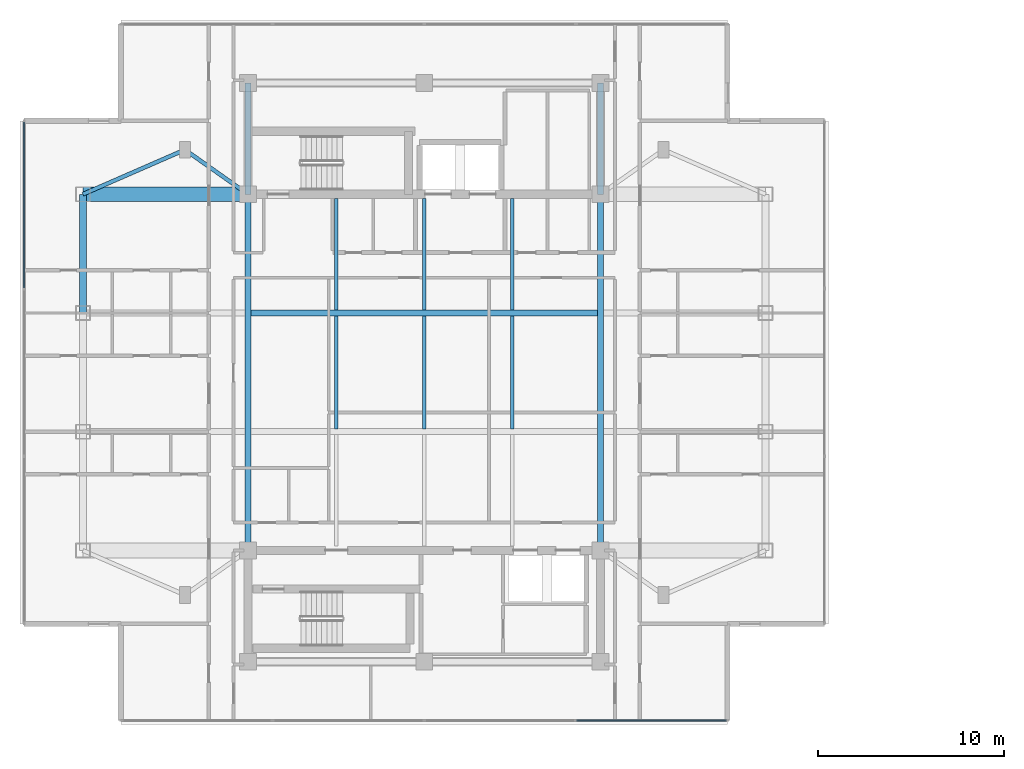
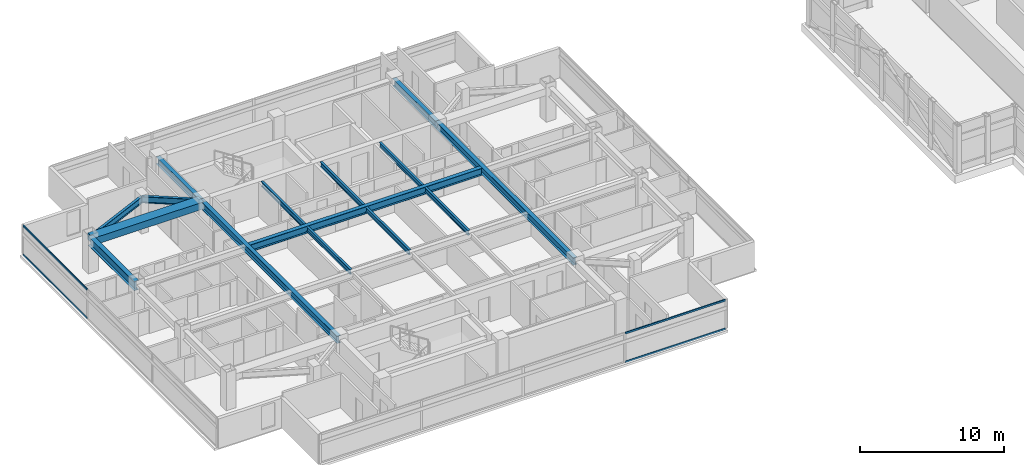
# One storey, part 3 of 17: 15 beams, 4 members, 2 elements without a shape of their own.
"""IFC4 building model written with IfcOpenShell, lengths in metres."""

import ifcopenshell
import ifcopenshell.guid

model = None  # the IFC model being written
_history = None  # IfcOwnerHistory: only IFC2X3 demands one
_inside = {}  # id of a spatial element -> (the spatial element, [elements in it])
_under = {}  # id of a project, library or spatial element -> (it, [spatial elements below it])
_declared = {}  # id of a project -> (the project, [libraries it declares])
_typed = {}  # id of a type object -> (the type object, [elements of that type])
_made_of = {}  # id of a material, layer set ... -> (it, [elements and type objects made of it])


def new_model(schema):
    """Start an empty IFC model of exactly this schema.

    Asked for "IFC4X3", IfcOpenShell would pick the latest addendum, in which some entities
    have other attributes; the version numbers below select the first issue.
    IFC2X3 requires an IfcOwnerHistory on every rooted entity: one is made here for all.
    """
    global model, _history
    if schema == "IFC4X3":
        model = ifcopenshell.file(schema_version=(4, 3, 0, 0))
    else:
        model = ifcopenshell.file(schema=schema)
    _inside.clear()
    _under.clear()
    _declared.clear()
    _typed.clear()
    _made_of.clear()
    _history = None
    if model.schema == "IFC2X3":
        org = make("IfcOrganization", Name="unknown")
        user = make(
            "IfcPersonAndOrganization",
            ThePerson=make("IfcPerson", FamilyName="unknown"),
            TheOrganization=org,
        )
        app = make(
            "IfcApplication",
            ApplicationDeveloper=org,
            Version="unknown",
            ApplicationFullName="unknown",
            ApplicationIdentifier="unknown",
        )
        _history = make(
            "IfcOwnerHistory",
            OwningUser=user,
            OwningApplication=app,
            ChangeAction="ADDED",
            CreationDate=0,
        )
    return model


def make(cls, **values):
    """One entity of the class cls with the attributes given. An attribute that is None is left unset."""
    return model.create_entity(
        cls, **{name: value for name, value in values.items() if value is not None}
    )


def rooted(cls, **values):
    """An entity with a GlobalId (a new one), such as an element, a storey or a relation."""
    return make(cls, GlobalId=ifcopenshell.guid.new(), OwnerHistory=_history, **values)


def si_unit(unit_type, name, prefix=None):
    """IfcSIUnit, for example si_unit("LENGTHUNIT", "METRE", prefix="MILLI")."""
    return make("IfcSIUnit", UnitType=unit_type, Prefix=prefix, Name=name)


def assignment(units):
    """IfcUnitAssignment: the units of a project."""
    return None if units is None else make("IfcUnitAssignment", Units=units)


def point(xyz):
    """IfcCartesianPoint."""
    return None if xyz is None else make("IfcCartesianPoint", Coordinates=xyz)


def direction(xyz):
    """IfcDirection."""
    return None if xyz is None else make("IfcDirection", DirectionRatios=xyz)


def frame(location, z_axis=None, x_axis=None):
    """IfcAxis2Placement3D, a coordinate frame: its origin and axes. An axis left out is left unset."""
    return make(
        "IfcAxis2Placement3D",
        Location=point(location),
        Axis=direction(z_axis),
        RefDirection=direction(x_axis),
    )


def frame_2d(location, x_axis=None):
    """IfcAxis2Placement2D, a coordinate frame in the plane: its origin and x axis."""
    return make(
        "IfcAxis2Placement2D", Location=point(location), RefDirection=direction(x_axis)
    )


def origin():
    """The frame at (0, 0, 0) with its axes left unset."""
    return frame((0.0, 0.0, 0.0))


def origin_2d():
    """The frame at (0, 0) in the plane with its x axis left unset."""
    return frame_2d((0.0, 0.0))


def place(relative_to, where):
    """IfcLocalPlacement: puts the frame where relative to a parent placement (None: the world)."""
    return make(
        "IfcLocalPlacement", PlacementRelTo=relative_to, RelativePlacement=where
    )


def context(
    kind, dimensions, precision=None, world=None, true_north=None, identifier=None
):
    """IfcGeometricRepresentationContext, for example the 3D "Model" context."""
    return make(
        "IfcGeometricRepresentationContext",
        ContextIdentifier=identifier,
        ContextType=kind,
        CoordinateSpaceDimension=dimensions,
        Precision=precision,
        WorldCoordinateSystem=world,
        TrueNorth=true_north,
    )


def subcontext(parent, identifier, kind, view, scale=None):
    """IfcGeometricRepresentationSubContext, for example "Body" below "Model"."""
    return make(
        "IfcGeometricRepresentationSubContext",
        ContextIdentifier=identifier,
        ContextType=kind,
        ParentContext=parent,
        TargetScale=scale,
        TargetView=view,
    )


def project(units=None, contexts=None):
    """IfcProject with its units and contexts."""
    return rooted(
        "IfcProject",
        Name="project",
        RepresentationContexts=contexts,
        UnitsInContext=assignment(units),
    )


def spatial(cls, under=None, at=None, **own):
    """A site, building, storey or space (cls), placed at a placement, below another one or the project."""
    s = rooted(cls, ObjectPlacement=at, **own)
    if under is not None:
        _under.setdefault(under.id(), (under, []))[1].append(s)
    return s


def profile(cls, at=None, kind="AREA", **sizes):
    """A parametric profile (cls). Its sizes go by their IFC names, for example OverallWidth=200.0."""
    return make(cls, ProfileType=kind, Position=at, **sizes)


def rectangle(**sizes):
    """IfcRectangleProfileDef."""
    return profile("IfcRectangleProfileDef", **sizes)


def i_section(**sizes):
    """IfcIShapeProfileDef."""
    return profile("IfcIShapeProfileDef", **sizes)


def extrude(swept, where, along, depth):
    """IfcExtrudedAreaSolid: the profile swept, set in the frame where, extruded along a direction by depth."""
    return make(
        "IfcExtrudedAreaSolid",
        SweptArea=swept,
        Position=where,
        ExtrudedDirection=direction(along),
        Depth=depth,
    )


def shape(context_of_items, identifier, shape_type, items):
    """IfcShapeRepresentation: the items that make up one representation, for example the "Body"."""
    return make(
        "IfcShapeRepresentation",
        ContextOfItems=context_of_items,
        RepresentationIdentifier=identifier,
        RepresentationType=shape_type,
        Items=items,
    )


def material(Name=None, Category=None):
    """IfcMaterial."""
    return make("IfcMaterial", Name=Name, Category=Category)


def material_profile(
    of_material, cross_section, Name=None, Category=None, Priority=None
):
    """IfcMaterialProfile: a cross section and its material."""
    return make(
        "IfcMaterialProfile",
        Name=Name,
        Material=of_material,
        Profile=cross_section,
        Priority=Priority,
        Category=Category,
    )


def profile_set(profiles, Name=None, composite=None):
    """IfcMaterialProfileSet."""
    return make(
        "IfcMaterialProfileSet",
        Name=Name,
        MaterialProfiles=profiles,
        CompositeProfile=composite,
    )


def made_of(thing, what):
    """Note that an element or type object is made of a material, layer set ...; save() writes the relation."""
    if what is not None:
        _made_of.setdefault(what.id(), (what, []))[1].append(thing)
    return thing


def type_object(cls, material=None, **own):
    """A type object (cls), such as IfcWallType, which elements share."""
    return made_of(rooted(cls, **own), material)


def element(
    cls,
    number,
    at=None,
    inside=None,
    cuts=None,
    type_object=None,
    material=None,
    context=None,
    identifier="Body",
    shape_type=None,
    held_by="IfcProductDefinitionShape",
    body=None,
    shapes=None,
    **own,
):
    """One element of the class cls, such as IfcWall. Its Tag is "e" and its number.

    at: its placement. inside: the storey or other place that contains it. cuts: it is an
    opening in that element (IfcRelVoidsElement). A single representation is given by context,
    identifier, shape_type and body (its items); several are given by shapes. held_by: the class
    of the entity that holds the representations. save() writes the other relations.
    """
    e = rooted(cls, Tag="e%d" % number, ObjectPlacement=at, **own)
    if body is not None:
        shapes = [shape(context, identifier, shape_type, body)]
    if shapes is not None:
        e.Representation = make(held_by, Representations=shapes)
    if inside is not None:
        _inside.setdefault(inside.id(), (inside, []))[1].append(e)
    if cuts is not None:
        rooted(
            "IfcRelVoidsElement", RelatingBuildingElement=cuts, RelatedOpeningElement=e
        )
    if type_object is not None:
        _typed.setdefault(type_object.id(), (type_object, []))[1].append(e)
    return made_of(e, material)


def aggregate(whole, parts):
    """IfcRelAggregates: a whole, such as a stair, and the parts it consists of."""
    return rooted("IfcRelAggregates", RelatingObject=whole, RelatedObjects=parts)


def save(model, path):
    """Write the relations noted so far, then the file.

    IfcRelAggregates (storeys below a building ...), IfcRelContainedInSpatialStructure (elements
    in a storey), IfcRelDefinesByType, IfcRelAssociatesMaterial and IfcRelDeclares: one each for
    every whole, place, type object, material and project.
    """
    for whole, parts in _under.values():
        aggregate(whole, parts)
    for where, things in _inside.values():
        rooted(
            "IfcRelContainedInSpatialStructure",
            RelatedElements=things,
            RelatingStructure=where,
        )
    for kind, things in _typed.values():
        rooted("IfcRelDefinesByType", RelatedObjects=things, RelatingType=kind)
    for what, things in _made_of.values():
        rooted("IfcRelAssociatesMaterial", RelatedObjects=things, RelatingMaterial=what)
    for by, libraries in _declared.values():
        rooted("IfcRelDeclares", RelatingContext=by, RelatedDefinitions=libraries)
    model.write(path)


model = new_model("IFC4")

# Units and contexts
model_context = context("Model", 3, precision=1e-05, world=origin(), true_north=direction((0.0, 1.0)))
body_context = subcontext(model_context, "Body", "Model", "MODEL_VIEW")
ifc_project = project(units=[si_unit("LENGTHUNIT", "METRE"), si_unit("AREAUNIT", "SQUARE_METRE"), si_unit("VOLUMEUNIT", "CUBIC_METRE"), si_unit("PLANEANGLEUNIT", "RADIAN"), si_unit("MASSUNIT", "GRAM", prefix="KILO")], contexts=[model_context])

# Site, building, storey
site_placement = place(None, origin())
site = spatial("IfcSite", under=ifc_project, at=site_placement, CompositionType="ELEMENT")
building_placement = place(site_placement, origin())
building = spatial("IfcBuilding", under=site, at=building_placement, Name="Mirazonda Arch Towers", CompositionType="ELEMENT")
storey_placement = place(building_placement, frame((0.0, 0.0, 209.64990234375)))
storey = spatial("IfcBuildingStorey", under=building, at=storey_placement, Name="L60", CompositionType="ELEMENT", Elevation=209.64990234375)

# Beams
ifc_material_1 = material(Name="Steel ASTM A992 Grade 50", Category="steel")
ifc_material_profile_1 = material_profile(ifc_material_1, i_section(OverallWidth=0.381103515625, OverallDepth=0.77294921875, WebThickness=0.0166015625, FlangeThickness=0.027099609375, at=origin_2d()), Name="W30X173")
ifc_profile_set_1 = profile_set([ifc_material_profile_1], Name="Steel ASTM A992 Grade 50")
beam_type_1 = type_object("IfcBeamType", Name="BM-EXT-W30X173", PredefinedType="USERDEFINED", material=ifc_profile_set_1)
beam_1_placement = place(storey_placement, frame((2.10009765625, 31.199951171875, 2.503662109375), z_axis=(0.0, 1.0, 0.0), x_axis=(-1.0, 0.0, 0.0)))
element("IfcBeam", 1, at=beam_1_placement, inside=storey, type_object=beam_type_1, Name="L60 Floor Beam BMT-T1-L60-NS-W-31", ObjectType="GIRDER", PredefinedType="USERDEFINED", context=body_context, shape_type="SweptSolid", body=[
    extrude(i_section(OverallWidth=0.381103515625, OverallDepth=0.77294921875, WebThickness=0.0166015625, FlangeThickness=0.027099609375, at=origin_2d()), origin(), (0.0, 0.0, 1.0), 6.400146484375),
])
ifc_material_profile_2 = material_profile(ifc_material_1, i_section(OverallWidth=0.180908203125, OverallDepth=0.4169921875, WebThickness=0.010986328125, FlangeThickness=0.018310546875, at=origin_2d()), Name="W16X57")
ifc_profile_set_2 = profile_set([ifc_material_profile_2], Name="Steel ASTM A992 Grade 50")
beam_type_2 = type_object("IfcBeamType", Name="BM-INT-W16X57", PredefinedType="JOIST", material=ifc_profile_set_2)
beam_2_placement = place(storey_placement, frame((15.75, 31.3583984375, 2.681640625), z_axis=(0.0, 1.0, 0.0), x_axis=(-1.0, 0.0, 0.0)))
element("IfcBeam", 2, at=beam_2_placement, inside=storey, type_object=beam_type_2, Name="L60 Floor Beam BMT-T1-L60-J-157-31", PredefinedType="JOIST", context=body_context, shape_type="SweptSolid", body=[
    extrude(i_section(OverallWidth=0.180908203125, OverallDepth=0.4169921875, WebThickness=0.010986328125, FlangeThickness=0.018310546875, at=origin_2d()), origin(), (0.0, 0.0, 1.0), 6.001708984375),
])
beam_3_placement = place(storey_placement, frame((15.75, 24.95849609375, 2.681640625), z_axis=(0.0, 1.0, 0.0), x_axis=(-1.0, 0.0, 0.0)))
element("IfcBeam", 3, at=beam_3_placement, inside=storey, type_object=beam_type_2, Name="L60 Floor Beam BMT-T1-L60-J-157-24", PredefinedType="JOIST", context=body_context, shape_type="SweptSolid", body=[
    extrude(i_section(OverallWidth=0.180908203125, OverallDepth=0.4169921875, WebThickness=0.010986328125, FlangeThickness=0.018310546875, at=origin_2d()), origin(), (0.0, 0.0, 1.0), 6.0830078125),
])
beam_4_placement = place(storey_placement, frame((20.5, 31.3583984375, 2.681640625), z_axis=(0.0, 1.0, 0.0), x_axis=(-1.0, 0.0, 0.0)))
element("IfcBeam", 4, at=beam_4_placement, inside=storey, type_object=beam_type_2, Name="L60 Floor Beam BMT-T1-L60-J-205-31", PredefinedType="JOIST", context=body_context, shape_type="SweptSolid", body=[
    extrude(i_section(OverallWidth=0.180908203125, OverallDepth=0.4169921875, WebThickness=0.010986328125, FlangeThickness=0.018310546875, at=origin_2d()), origin(), (0.0, 0.0, 1.0), 6.001708984375),
])
beam_5_placement = place(storey_placement, frame((20.5, 24.95849609375, 2.681640625), z_axis=(0.0, 1.0, 0.0), x_axis=(-1.0, 0.0, 0.0)))
element("IfcBeam", 5, at=beam_5_placement, inside=storey, type_object=beam_type_2, Name="L60 Floor Beam BMT-T1-L60-J-205-24", PredefinedType="JOIST", context=body_context, shape_type="SweptSolid", body=[
    extrude(i_section(OverallWidth=0.180908203125, OverallDepth=0.4169921875, WebThickness=0.010986328125, FlangeThickness=0.018310546875, at=origin_2d()), origin(), (0.0, 0.0, 1.0), 6.0830078125),
])
beam_6_placement = place(storey_placement, frame((25.25, 31.3583984375, 2.681640625), z_axis=(0.0, 1.0, 0.0), x_axis=(-1.0, 0.0, 0.0)))
element("IfcBeam", 6, at=beam_6_placement, inside=storey, type_object=beam_type_2, Name="L60 Floor Beam BMT-T1-L60-J-252-31", PredefinedType="JOIST", context=body_context, shape_type="SweptSolid", body=[
    extrude(i_section(OverallWidth=0.180908203125, OverallDepth=0.4169921875, WebThickness=0.010986328125, FlangeThickness=0.018310546875, at=origin_2d()), origin(), (0.0, 0.0, 1.0), 6.001708984375),
])
beam_7_placement = place(storey_placement, frame((25.25, 24.95849609375, 2.681640625), z_axis=(0.0, 1.0, 0.0), x_axis=(-1.0, 0.0, 0.0)))
element("IfcBeam", 7, at=beam_7_placement, inside=storey, type_object=beam_type_2, Name="L60 Floor Beam BMT-T1-L60-J-252-24", PredefinedType="JOIST", context=body_context, shape_type="SweptSolid", body=[
    extrude(i_section(OverallWidth=0.180908203125, OverallDepth=0.4169921875, WebThickness=0.010986328125, FlangeThickness=0.018310546875, at=origin_2d()), origin(), (0.0, 0.0, 1.0), 6.0830078125),
])
ifc_material_profile_3 = material_profile(ifc_material_1, i_section(OverallWidth=0.214111328125, OverallDepth=0.549072265625, WebThickness=0.0146484375, FlangeThickness=0.023681640625, at=origin_2d()), Name="W21X93")
ifc_profile_set_3 = profile_set([ifc_material_profile_3], Name="Steel ASTM A992 Grade 50")
beam_type_3 = type_object("IfcBeamType", Name="BM-INT-W21X93", PredefinedType="BEAM", material=ifc_profile_set_3)
beam_8_placement = place(storey_placement, frame((7.60009765625, 40.0, 2.615478515625), z_axis=(0.816971114901, -0.576678591087, 0.0), x_axis=(0.576678591087, 0.816971114901, 0.0)))
element("IfcBeam", 8, at=beam_8_placement, inside=storey, type_object=beam_type_3, Name="L60 Floor Beam BMT-T1-L60-PL-NW1", PredefinedType="BEAM", context=body_context, shape_type="SweptSolid", body=[
    extrude(i_section(OverallWidth=0.214111328125, OverallDepth=0.549072265625, WebThickness=0.0146484375, FlangeThickness=0.023681640625, at=origin_2d()), origin(), (0.0, 0.0, 1.0), 4.16162109375),
])
beam_9_placement = place(storey_placement, frame((7.60009765625, 40.0, 2.615478515625), z_axis=(-0.916545343703, -0.399930785183, 0.0), x_axis=(0.399930785183, -0.916545343703, 0.0)))
element("IfcBeam", 9, at=beam_9_placement, inside=storey, type_object=beam_type_3, Name="L60 Floor Beam BMT-T1-L60-PL-NW2", PredefinedType="BEAM", context=body_context, shape_type="SweptSolid", body=[
    extrude(i_section(OverallWidth=0.214111328125, OverallDepth=0.549072265625, WebThickness=0.0146484375, FlangeThickness=0.023681640625, at=origin_2d()), origin(), (0.0, 0.0, 1.0), 6.000732421875),
])
ifc_material_profile_4 = material_profile(ifc_material_1, i_section(OverallWidth=0.324951171875, OverallDepth=0.615966796875, WebThickness=0.013916015625, FlangeThickness=0.021484375, at=origin_2d()), Name="W24X117")
ifc_profile_set_4 = profile_set([ifc_material_profile_4], Name="Steel ASTM A992 Grade 50")
beam_type_4 = type_object("IfcBeamType", Name="BM-INT-W24X117", PredefinedType="BEAM", material=ifc_profile_set_4)
beam_10_placement = place(storey_placement, frame((11.16259765625, 31.199951171875, 2.58203125), z_axis=(1.0, 0.0, 0.0), x_axis=(0.0, 1.0, 0.0)))
element("IfcBeam", 10, at=beam_10_placement, inside=storey, type_object=beam_type_4, Name="L60 Floor Beam BMT-T1-L60-GC3", PredefinedType="BEAM", context=body_context, shape_type="SweptSolid", body=[
    extrude(i_section(OverallWidth=0.324951171875, OverallDepth=0.615966796875, WebThickness=0.013916015625, FlangeThickness=0.021484375, at=origin_2d()), origin(), (0.0, 0.0, 1.0), 18.6748046875),
])
for number, where, z_axis, x_axis, name in (
    (11, (11.0, 37.60009765625, 2.58203125), (0.0, 1.0, 0.0), (-1.0, 0.0, 0.0), "L60 Floor Beam BMT-T1-L60-CNW"),
    (12, (30.0, 37.60009765625, 2.58203125), (0.0, 1.0, 0.0), (-1.0, 0.0, 0.0), "L60 Floor Beam BMT-T1-L60-CNE"),
):
    element("IfcBeam", number, at=place(storey_placement, frame(where, z_axis=z_axis, x_axis=x_axis)), inside=storey, type_object=beam_type_4, Name=name, PredefinedType="BEAM", context=body_context, shape_type="SweptSolid", body=[
        extrude(i_section(OverallWidth=0.324951171875, OverallDepth=0.615966796875, WebThickness=0.013916015625, FlangeThickness=0.021484375, at=origin_2d()), origin(), (0.0, 0.0, 1.0), 6.0),
    ])
for number, where, z_axis, x_axis, name in (
    (13, (11.0, 18.39990234375, 2.58203125), (0.0, 1.0, 0.0), (-1.0, 0.0, 0.0), "L60 Floor Beam BMT-T1-L60-NS-CW-FULL"),
    (14, (30.0, 18.39990234375, 2.58203125), (0.0, 1.0, 0.0), (-1.0, 0.0, 0.0), "L60 Floor Beam BMT-T1-L60-NS-CE-FULL"),
):
    element("IfcBeam", number, at=place(storey_placement, frame(where, z_axis=z_axis, x_axis=x_axis)), inside=storey, type_object=beam_type_4, Name=name, PredefinedType="BEAM", context=body_context, shape_type="SweptSolid", body=[
        extrude(i_section(OverallWidth=0.324951171875, OverallDepth=0.615966796875, WebThickness=0.013916015625, FlangeThickness=0.021484375, at=origin_2d()), origin(), (0.0, 0.0, 1.0), 19.2001953125),
    ])
ifc_material_2 = material(Name="Concrete C60/75", Category="concrete")
ifc_material_profile_5 = material_profile(ifc_material_2, rectangle(XDim=0.800048828125, YDim=0.60009765625, at=origin_2d()), Name="RCCB800x600")
ifc_profile_set_5 = profile_set([ifc_material_profile_5], Name="Concrete C60/75")
beam_type_5 = type_object("IfcBeamType", Name="CB-INT-RCCB800x600", PredefinedType="SPANDREL", material=ifc_profile_set_5)
beam_11_placement = place(storey_placement, frame((2.10009765625, 37.60009765625, 2.590087890625), z_axis=(1.0, 0.0, 0.0), x_axis=(0.0, 1.0, 0.0)))
element("IfcBeam", 15, at=beam_11_placement, inside=storey, type_object=beam_type_5, Name="L60 Floor Beam CBC-T1-L60-NW", PredefinedType="SPANDREL", context=body_context, shape_type="SweptSolid", body=[
    extrude(rectangle(XDim=0.800048828125, YDim=0.60009765625, at=origin_2d()), origin(), (0.0, 0.0, 1.0), 8.89990234375),
])

# Curtain wall, members
ifc_material_3 = material(Name="Anodised Aluminium and Low-E Glass", Category="aluminium")
curtain_wall_type = type_object("IfcCurtainWallType", Name="CW-RES-UNIT", PredefinedType="NOTDEFINED", material=ifc_material_3)
curtain_wall_1_placement = place(storey_placement, origin())
curtain_wall_1 = element("IfcCurtainWall", 16, at=curtain_wall_1_placement, inside=storey, type_object=curtain_wall_type, Name="L60 T1 S Facade CW-L60-T1-S", PredefinedType="NOTDEFINED")
ifc_material_4 = material(Name="Anodised Aluminium Alloy", Category="aluminium")
ifc_material_profile_6 = material_profile(ifc_material_4, rectangle(XDim=0.074951171875, YDim=0.155029296875, at=origin_2d()), Name="ALU-TRAN-75x155")
ifc_profile_set_6 = profile_set([ifc_material_profile_6], Name="Anodised Aluminium Alloy")
member_type = type_object("IfcMemberType", Name="TRAN-CW-RES-UNIT", PredefinedType="USERDEFINED", material=ifc_profile_set_6)
member_1_placement = place(storey_placement, frame((36.780029296875, 9.22607421875, 0.03759765625), z_axis=(-1.0, 0.0, 0.0), x_axis=(0.0, -1.0, 0.0)))
member_1 = element("IfcMember", 17, at=member_1_placement, type_object=member_type, Name="CW-104 transom 1.1", ObjectType="TRANSOM", PredefinedType="USERDEFINED", context=body_context, shape_type="SweptSolid", body=[
    extrude(rectangle(XDim=0.074951171875, YDim=0.155029296875, at=origin_2d()), origin(), (0.0, 0.0, 1.0), 8.06494140625),
])
member_2_placement = place(storey_placement, frame((36.780029296875, 9.22607421875, 2.47265625), z_axis=(-1.0, 0.0, 0.0), x_axis=(0.0, -1.0, 0.0)))
member_2 = element("IfcMember", 18, at=member_2_placement, type_object=member_type, Name="CW-104 transom 1.2", ObjectType="TRANSOM", PredefinedType="USERDEFINED", context=body_context, shape_type="SweptSolid", body=[
    extrude(rectangle(XDim=0.074951171875, YDim=0.155029296875, at=origin_2d()), origin(), (0.0, 0.0, 1.0), 8.06494140625),
])
aggregate(curtain_wall_1, [member_1, member_2])

curtain_wall_2_placement = place(storey_placement, origin())
curtain_wall_2 = element("IfcCurtainWall", 19, at=curtain_wall_2_placement, inside=storey, type_object=curtain_wall_type, Name="L60 T1 W Facade CW-L60-T1-W", PredefinedType="NOTDEFINED")
member_3_placement = place(storey_placement, frame((-1.070068359375, 41.48388671875, 0.03759765625), z_axis=(0.0, -1.0, 0.0), x_axis=(1.0, 0.0, 0.0)))
member_3 = element("IfcMember", 20, at=member_3_placement, type_object=member_type, Name="CW-104 transom 1.1", ObjectType="TRANSOM", PredefinedType="USERDEFINED", context=body_context, shape_type="SweptSolid", body=[
    extrude(rectangle(XDim=0.074951171875, YDim=0.155029296875, at=origin_2d()), origin(), (0.0, 0.0, 1.0), 8.9267578125),
])
member_4_placement = place(storey_placement, frame((-1.070068359375, 41.48388671875, 2.47265625), z_axis=(0.0, -1.0, 0.0), x_axis=(1.0, 0.0, 0.0)))
member_4 = element("IfcMember", 21, at=member_4_placement, type_object=member_type, Name="CW-104 transom 1.2", ObjectType="TRANSOM", PredefinedType="USERDEFINED", context=body_context, shape_type="SweptSolid", body=[
    extrude(rectangle(XDim=0.074951171875, YDim=0.155029296875, at=origin_2d()), origin(), (0.0, 0.0, 1.0), 8.9267578125),
])
aggregate(curtain_wall_2, [member_3, member_4])

save(model, "model.ifc")
